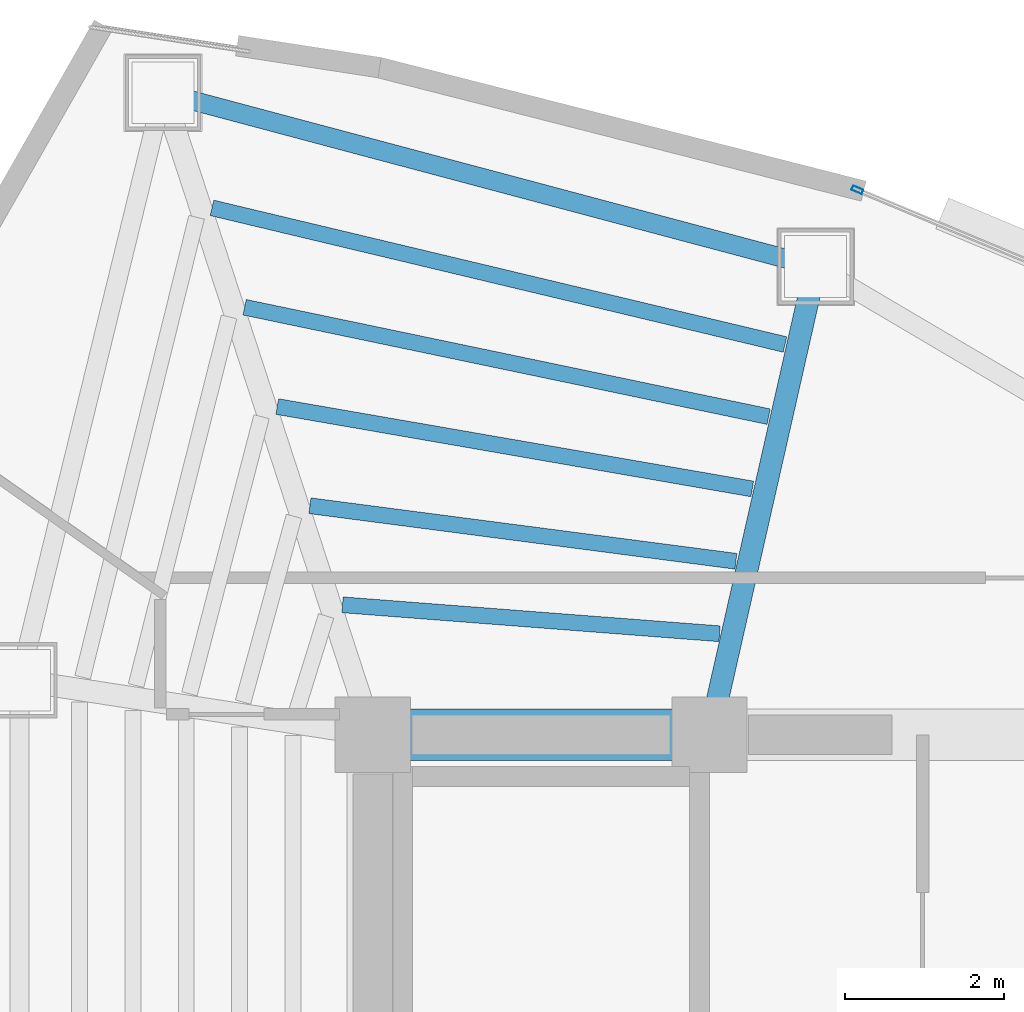
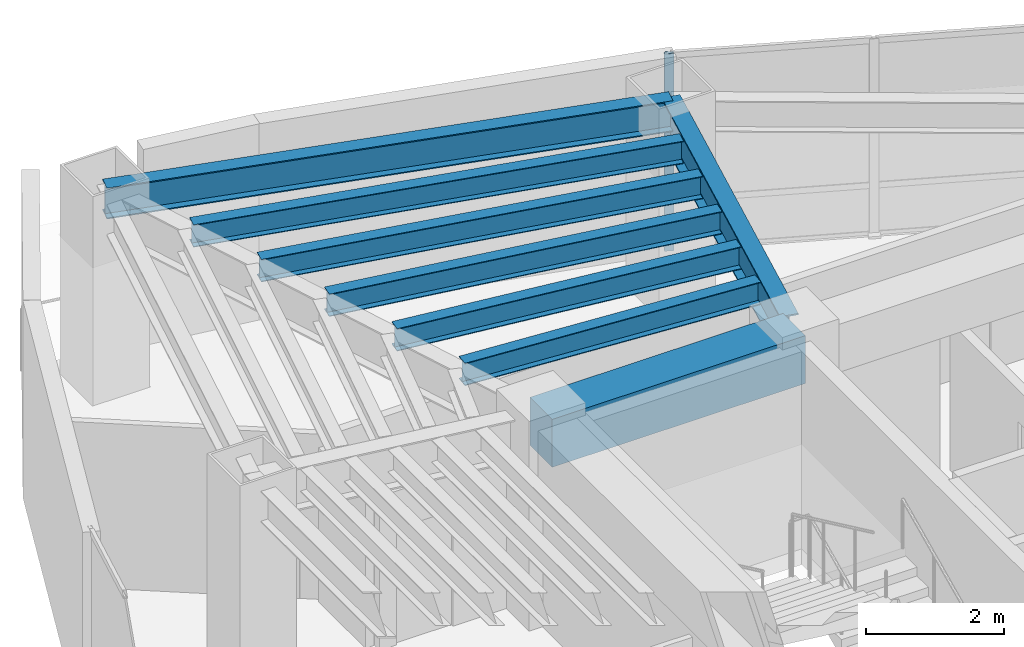
# One storey, part 7 of 15: 8 beams, 1 member, 1 element without a shape of its own.
"""IFC4 building model written with IfcOpenShell, lengths in metres."""

import ifcopenshell
import ifcopenshell.guid

model = None  # the IFC model being written
_history = None  # IfcOwnerHistory: only IFC2X3 demands one
_inside = {}  # id of a spatial element -> (the spatial element, [elements in it])
_under = {}  # id of a project, library or spatial element -> (it, [spatial elements below it])
_declared = {}  # id of a project -> (the project, [libraries it declares])
_typed = {}  # id of a type object -> (the type object, [elements of that type])
_made_of = {}  # id of a material, layer set ... -> (it, [elements and type objects made of it])


def new_model(schema):
    """Start an empty IFC model of exactly this schema.

    Asked for "IFC4X3", IfcOpenShell would pick the latest addendum, in which some entities
    have other attributes; the version numbers below select the first issue.
    IFC2X3 requires an IfcOwnerHistory on every rooted entity: one is made here for all.
    """
    global model, _history
    if schema == "IFC4X3":
        model = ifcopenshell.file(schema_version=(4, 3, 0, 0))
    else:
        model = ifcopenshell.file(schema=schema)
    _inside.clear()
    _under.clear()
    _declared.clear()
    _typed.clear()
    _made_of.clear()
    _history = None
    if model.schema == "IFC2X3":
        org = make("IfcOrganization", Name="unknown")
        user = make(
            "IfcPersonAndOrganization",
            ThePerson=make("IfcPerson", FamilyName="unknown"),
            TheOrganization=org,
        )
        app = make(
            "IfcApplication",
            ApplicationDeveloper=org,
            Version="unknown",
            ApplicationFullName="unknown",
            ApplicationIdentifier="unknown",
        )
        _history = make(
            "IfcOwnerHistory",
            OwningUser=user,
            OwningApplication=app,
            ChangeAction="ADDED",
            CreationDate=0,
        )
    return model


def make(cls, **values):
    """One entity of the class cls with the attributes given. An attribute that is None is left unset."""
    return model.create_entity(
        cls, **{name: value for name, value in values.items() if value is not None}
    )


def rooted(cls, **values):
    """An entity with a GlobalId (a new one), such as an element, a storey or a relation."""
    return make(cls, GlobalId=ifcopenshell.guid.new(), OwnerHistory=_history, **values)


def si_unit(unit_type, name, prefix=None):
    """IfcSIUnit, for example si_unit("LENGTHUNIT", "METRE", prefix="MILLI")."""
    return make("IfcSIUnit", UnitType=unit_type, Prefix=prefix, Name=name)


def assignment(units):
    """IfcUnitAssignment: the units of a project."""
    return None if units is None else make("IfcUnitAssignment", Units=units)


def point(xyz):
    """IfcCartesianPoint."""
    return None if xyz is None else make("IfcCartesianPoint", Coordinates=xyz)


def direction(xyz):
    """IfcDirection."""
    return None if xyz is None else make("IfcDirection", DirectionRatios=xyz)


def frame(location, z_axis=None, x_axis=None):
    """IfcAxis2Placement3D, a coordinate frame: its origin and axes. An axis left out is left unset."""
    return make(
        "IfcAxis2Placement3D",
        Location=point(location),
        Axis=direction(z_axis),
        RefDirection=direction(x_axis),
    )


def frame_2d(location, x_axis=None):
    """IfcAxis2Placement2D, a coordinate frame in the plane: its origin and x axis."""
    return make(
        "IfcAxis2Placement2D", Location=point(location), RefDirection=direction(x_axis)
    )


def origin():
    """The frame at (0, 0, 0) with its axes left unset."""
    return frame((0.0, 0.0, 0.0))


def origin_2d():
    """The frame at (0, 0) in the plane with its x axis left unset."""
    return frame_2d((0.0, 0.0))


def place(relative_to, where):
    """IfcLocalPlacement: puts the frame where relative to a parent placement (None: the world)."""
    return make(
        "IfcLocalPlacement", PlacementRelTo=relative_to, RelativePlacement=where
    )


def context(
    kind, dimensions, precision=None, world=None, true_north=None, identifier=None
):
    """IfcGeometricRepresentationContext, for example the 3D "Model" context."""
    return make(
        "IfcGeometricRepresentationContext",
        ContextIdentifier=identifier,
        ContextType=kind,
        CoordinateSpaceDimension=dimensions,
        Precision=precision,
        WorldCoordinateSystem=world,
        TrueNorth=true_north,
    )


def subcontext(parent, identifier, kind, view, scale=None):
    """IfcGeometricRepresentationSubContext, for example "Body" below "Model"."""
    return make(
        "IfcGeometricRepresentationSubContext",
        ContextIdentifier=identifier,
        ContextType=kind,
        ParentContext=parent,
        TargetScale=scale,
        TargetView=view,
    )


def project(units=None, contexts=None):
    """IfcProject with its units and contexts."""
    return rooted(
        "IfcProject",
        Name="project",
        RepresentationContexts=contexts,
        UnitsInContext=assignment(units),
    )


def spatial(cls, under=None, at=None, **own):
    """A site, building, storey or space (cls), placed at a placement, below another one or the project."""
    s = rooted(cls, ObjectPlacement=at, **own)
    if under is not None:
        _under.setdefault(under.id(), (under, []))[1].append(s)
    return s


def profile(cls, at=None, kind="AREA", **sizes):
    """A parametric profile (cls). Its sizes go by their IFC names, for example OverallWidth=200.0."""
    return make(cls, ProfileType=kind, Position=at, **sizes)


def rectangle(**sizes):
    """IfcRectangleProfileDef."""
    return profile("IfcRectangleProfileDef", **sizes)


def hollow_rectangle(**sizes):
    """IfcRectangleHollowProfileDef."""
    return profile("IfcRectangleHollowProfileDef", **sizes)


def i_section(**sizes):
    """IfcIShapeProfileDef."""
    return profile("IfcIShapeProfileDef", **sizes)


def extrude(swept, where, along, depth):
    """IfcExtrudedAreaSolid: the profile swept, set in the frame where, extruded along a direction by depth."""
    return make(
        "IfcExtrudedAreaSolid",
        SweptArea=swept,
        Position=where,
        ExtrudedDirection=direction(along),
        Depth=depth,
    )


def shape(context_of_items, identifier, shape_type, items):
    """IfcShapeRepresentation: the items that make up one representation, for example the "Body"."""
    return make(
        "IfcShapeRepresentation",
        ContextOfItems=context_of_items,
        RepresentationIdentifier=identifier,
        RepresentationType=shape_type,
        Items=items,
    )


def material(Name=None, Category=None):
    """IfcMaterial."""
    return make("IfcMaterial", Name=Name, Category=Category)


def layer(
    of_material, thickness, ventilated=None, Name=None, Category=None, Priority=None
):
    """IfcMaterialLayer: one layer of a wall or slab, of a material (None: an air gap)."""
    return make(
        "IfcMaterialLayer",
        Material=of_material,
        LayerThickness=thickness,
        IsVentilated=ventilated,
        Name=Name,
        Category=Category,
        Priority=Priority,
    )


def layer_set(layers, Name=None):
    """IfcMaterialLayerSet."""
    return make("IfcMaterialLayerSet", MaterialLayers=layers, LayerSetName=Name)


def material_profile(
    of_material, cross_section, Name=None, Category=None, Priority=None
):
    """IfcMaterialProfile: a cross section and its material."""
    return make(
        "IfcMaterialProfile",
        Name=Name,
        Material=of_material,
        Profile=cross_section,
        Priority=Priority,
        Category=Category,
    )


def profile_set(profiles, Name=None, composite=None):
    """IfcMaterialProfileSet."""
    return make(
        "IfcMaterialProfileSet",
        Name=Name,
        MaterialProfiles=profiles,
        CompositeProfile=composite,
    )


def made_of(thing, what):
    """Note that an element or type object is made of a material, layer set ...; save() writes the relation."""
    if what is not None:
        _made_of.setdefault(what.id(), (what, []))[1].append(thing)
    return thing


def type_object(cls, material=None, **own):
    """A type object (cls), such as IfcWallType, which elements share."""
    return made_of(rooted(cls, **own), material)


def element(
    cls,
    number,
    at=None,
    inside=None,
    cuts=None,
    type_object=None,
    material=None,
    context=None,
    identifier="Body",
    shape_type=None,
    held_by="IfcProductDefinitionShape",
    body=None,
    shapes=None,
    **own,
):
    """One element of the class cls, such as IfcWall. Its Tag is "e" and its number.

    at: its placement. inside: the storey or other place that contains it. cuts: it is an
    opening in that element (IfcRelVoidsElement). A single representation is given by context,
    identifier, shape_type and body (its items); several are given by shapes. held_by: the class
    of the entity that holds the representations. save() writes the other relations.
    """
    e = rooted(cls, Tag="e%d" % number, ObjectPlacement=at, **own)
    if body is not None:
        shapes = [shape(context, identifier, shape_type, body)]
    if shapes is not None:
        e.Representation = make(held_by, Representations=shapes)
    if inside is not None:
        _inside.setdefault(inside.id(), (inside, []))[1].append(e)
    if cuts is not None:
        rooted(
            "IfcRelVoidsElement", RelatingBuildingElement=cuts, RelatedOpeningElement=e
        )
    if type_object is not None:
        _typed.setdefault(type_object.id(), (type_object, []))[1].append(e)
    return made_of(e, material)


def aggregate(whole, parts):
    """IfcRelAggregates: a whole, such as a stair, and the parts it consists of."""
    return rooted("IfcRelAggregates", RelatingObject=whole, RelatedObjects=parts)


def save(model, path):
    """Write the relations noted so far, then the file.

    IfcRelAggregates (storeys below a building ...), IfcRelContainedInSpatialStructure (elements
    in a storey), IfcRelDefinesByType, IfcRelAssociatesMaterial and IfcRelDeclares: one each for
    every whole, place, type object, material and project.
    """
    for whole, parts in _under.values():
        aggregate(whole, parts)
    for where, things in _inside.values():
        rooted(
            "IfcRelContainedInSpatialStructure",
            RelatedElements=things,
            RelatingStructure=where,
        )
    for kind, things in _typed.values():
        rooted("IfcRelDefinesByType", RelatedObjects=things, RelatingType=kind)
    for what, things in _made_of.values():
        rooted("IfcRelAssociatesMaterial", RelatedObjects=things, RelatingMaterial=what)
    for by, libraries in _declared.values():
        rooted("IfcRelDeclares", RelatingContext=by, RelatedDefinitions=libraries)
    model.write(path)


model = new_model("IFC4")

# Units and contexts
model_context = context("Model", 3, precision=1e-05, world=origin(), true_north=direction((0.0, 1.0)))
body_context = subcontext(model_context, "Body", "Model", "MODEL_VIEW")
ifc_project = project(units=[si_unit("LENGTHUNIT", "METRE"), si_unit("AREAUNIT", "SQUARE_METRE"), si_unit("VOLUMEUNIT", "CUBIC_METRE"), si_unit("PLANEANGLEUNIT", "RADIAN"), si_unit("MASSUNIT", "GRAM", prefix="KILO")], contexts=[model_context])

# Site, building, storey
site_placement = place(None, origin())
site = spatial("IfcSite", under=ifc_project, at=site_placement, CompositionType="ELEMENT")
building_placement = place(site_placement, origin())
building = spatial("IfcBuilding", under=site, at=building_placement, Name="Menara Vayukalpa", CompositionType="ELEMENT")
storey_placement = place(building_placement, frame((0.0, 0.0, 172.919921875)))
storey = spatial("IfcBuildingStorey", under=building, at=storey_placement, Name="L43", CompositionType="ELEMENT", Elevation=172.919921875)

# Beams
ifc_material_1 = material(Name="Concrete C60/75", Category="concrete")
ifc_material_profile_1 = material_profile(ifc_material_1, rectangle(XDim=0.64990234375, YDim=0.85009765625, at=origin_2d()), Name="RC 650x850")
ifc_profile_set_1 = profile_set([ifc_material_profile_1], Name="Concrete C60/75")
beam_type_1 = type_object("IfcBeamType", Name="BM-CB1", PredefinedType="BEAM", material=ifc_profile_set_1)
beam_1_placement = place(storey_placement, frame((17.800048828125, 26.800048828125, 3.0751953125), z_axis=(1.0, 0.0, 0.0), x_axis=(0.0, 1.0, 0.0)))
element("IfcBeam", 1, at=beam_1_placement, inside=storey, type_object=beam_type_1, Name="L43 Core Tie Beam CBR4", PredefinedType="BEAM", context=body_context, shape_type="SweptSolid", body=[
    extrude(rectangle(XDim=0.64990234375, YDim=0.85009765625, at=origin_2d()), origin(), (0.0, 0.0, 1.0), 4.25),
])
ifc_material_2 = material(Name="Steel S355", Category="steel")
ifc_material_profile_2 = material_profile(ifc_material_2, i_section(OverallWidth=0.280029296875, OverallDepth=0.75, WebThickness=0.013916015625, FlangeThickness=0.02490234375, at=origin_2d()), Name="WF 750x280x14x25")
ifc_profile_set_2 = profile_set([ifc_material_profile_2], Name="Steel S355")
beam_type_2 = type_object("IfcBeamType", Name="BM-PG4", PredefinedType="BEAM", material=ifc_profile_set_2)
beam_2_placement = place(storey_placement, frame((22.105224609375, 27.043701171875, 3.125), z_axis=(0.221085149161, 0.975254508741, 0.0), x_axis=(-0.975254508741, 0.221085149161, 0.0)))
element("IfcBeam", 2, at=beam_2_placement, inside=storey, type_object=beam_type_2, Name="L43 Primary Radial Girder RG03", PredefinedType="BEAM", context=body_context, shape_type="SweptSolid", body=[
    extrude(i_section(OverallWidth=0.280029296875, OverallDepth=0.75, WebThickness=0.013916015625, FlangeThickness=0.02490234375, at=origin_2d()), origin(), (0.0, 0.0, 1.0), 5.80859375),
])
ifc_material_3 = material(Name="Steel S355", Category="steel")
ifc_material_profile_3 = material_profile(ifc_material_3, i_section(OverallWidth=0.199951171875, OverallDepth=0.39990234375, WebThickness=0.008056640625, FlangeThickness=0.012939453125, at=origin_2d()), Name="WF 400x200x8x13")
ifc_profile_set_3 = profile_set([ifc_material_profile_3], Name="Steel S355")
beam_type_3 = type_object("IfcBeamType", Name="BM-SJ2", PredefinedType="JOIST", material=ifc_profile_set_3)
beam_3_placement = place(storey_placement, frame((22.177001953125, 28.07568359375, 3.300048828125), z_axis=(-0.997061705182, 0.076602585202, 0.0), x_axis=(-0.076602585202, -0.997061705182, 0.0)))
element("IfcBeam", 3, at=beam_3_placement, inside=storey, type_object=beam_type_3, Name="L43 Secondary Floor Joist SJ03-1", PredefinedType="JOIST", context=body_context, shape_type="SweptSolid", body=[
    extrude(i_section(OverallWidth=0.199951171875, OverallDepth=0.39990234375, WebThickness=0.008056640625, FlangeThickness=0.012939453125, at=origin_2d()), origin(), (0.0, 0.0, 1.0), 4.77099609375),
])
beam_4_placement = place(storey_placement, frame((22.38330078125, 28.990478515625, 3.300048828125), z_axis=(-0.99161070493, 0.129260240866, 0.0), x_axis=(-0.129260240866, -0.99161070493, 0.0)))
element("IfcBeam", 4, at=beam_4_placement, inside=storey, type_object=beam_type_3, Name="L43 Secondary Floor Joist SJ03-2", PredefinedType="JOIST", context=body_context, shape_type="SweptSolid", body=[
    extrude(i_section(OverallWidth=0.199951171875, OverallDepth=0.39990234375, WebThickness=0.008056640625, FlangeThickness=0.012939453125, at=origin_2d()), origin(), (0.0, 0.0, 1.0), 5.420654296875),
])
beam_5_placement = place(storey_placement, frame((22.589599609375, 29.9033203125, 3.300048828125), z_axis=(-0.985288833054, 0.170897382832, 0.0), x_axis=(-0.170897382832, -0.985288833054, 0.0)))
element("IfcBeam", 5, at=beam_5_placement, inside=storey, type_object=beam_type_3, Name="L43 Secondary Floor Joist SJ03-3", PredefinedType="JOIST", context=body_context, shape_type="SweptSolid", body=[
    extrude(i_section(OverallWidth=0.199951171875, OverallDepth=0.39990234375, WebThickness=0.008056640625, FlangeThickness=0.012939453125, at=origin_2d()), origin(), (0.0, 0.0, 1.0), 6.0830078125),
])
beam_6_placement = place(storey_placement, frame((22.796142578125, 30.815185546875, 3.300048828125), z_axis=(-0.97888709748, 0.204401688806, 0.0), x_axis=(-0.204401688806, -0.97888709748, 0.0)))
element("IfcBeam", 6, at=beam_6_placement, inside=storey, type_object=beam_type_3, Name="L43 Secondary Floor Joist SJ03-4", PredefinedType="JOIST", context=body_context, shape_type="SweptSolid", body=[
    extrude(i_section(OverallWidth=0.199951171875, OverallDepth=0.39990234375, WebThickness=0.008056640625, FlangeThickness=0.012939453125, at=origin_2d()), origin(), (0.0, 0.0, 1.0), 6.75439453125),
])
beam_7_placement = place(storey_placement, frame((23.002685546875, 31.725830078125, 3.300048828125), z_axis=(-0.972731800574, 0.231932844055, 0.0), x_axis=(-0.231932844055, -0.972731800574, 0.0)))
element("IfcBeam", 7, at=beam_7_placement, inside=storey, type_object=beam_type_3, Name="L43 Secondary Floor Joist SJ03-5", PredefinedType="JOIST", context=body_context, shape_type="SweptSolid", body=[
    extrude(i_section(OverallWidth=0.199951171875, OverallDepth=0.39990234375, WebThickness=0.008056640625, FlangeThickness=0.012939453125, at=origin_2d()), origin(), (0.0, 0.0, 1.0), 7.4326171875),
])
ifc_material_4 = material(Name="Steel S355", Category="steel")
ifc_material_profile_4 = material_profile(ifc_material_4, i_section(OverallWidth=0.239990234375, OverallDepth=0.550048828125, WebThickness=0.010986328125, FlangeThickness=0.01904296875, at=origin_2d()), Name="WF 550x240x11x19")
ifc_profile_set_4 = profile_set([ifc_material_profile_4], Name="Steel S355")
beam_type_4 = type_object("IfcBeamType", Name="BM-SP2", PredefinedType="SPANDREL", material=ifc_profile_set_4)
beam_8_placement = place(storey_placement, frame((23.389404296875, 32.70849609375, 3.22509765625), z_axis=(-0.966287699272, 0.25746472037, 0.0), x_axis=(-0.25746472037, -0.966287699272, 0.0)))
element("IfcBeam", 8, at=beam_8_placement, inside=storey, type_object=beam_type_4, Name="L43 Perimeter Spandrel Beam SP03", PredefinedType="SPANDREL", context=body_context, shape_type="SweptSolid", body=[
    extrude(i_section(OverallWidth=0.239990234375, OverallDepth=0.550048828125, WebThickness=0.010986328125, FlangeThickness=0.01904296875, at=origin_2d()), origin(), (0.0, 0.0, 1.0), 8.52197265625),
])

# Curtain wall, member
ifc_material_5 = material(Name="Anodised Terracotta Aluminium Alloy 6063-T6", Category="masonry")
ifc_layer = layer(ifc_material_5, 0.139892578125)
ifc_layer_set = layer_set([ifc_layer], Name="Anodised Terracotta Aluminium Alloy 6063-T6")
curtain_wall_type = type_object("IfcCurtainWallType", Name="CW-CW5", PredefinedType="USERDEFINED", material=ifc_layer_set)
curtain_wall_placement = place(storey_placement, origin())
curtain_wall = element("IfcCurtainWall", 9, at=curtain_wall_placement, inside=storey, type_object=curtain_wall_type, Name="L43 High Rise Tapered Curtain Wall CW5 05", ObjectType="UNITISED", PredefinedType="USERDEFINED")
ifc_material_6 = material(Name="Anodised Terracotta Aluminium Alloy 6063-T6", Category="masonry")
ifc_material_profile_5 = material_profile(ifc_material_6, hollow_rectangle(XDim=0.06005859375, YDim=0.139892578125, WallThickness=0.00341796875, at=origin_2d()), Name="ALU 60x140x3.5")
ifc_profile_set_5 = profile_set([ifc_material_profile_5], Name="Anodised Terracotta Aluminium Alloy 6063-T6")
member_type = type_object("IfcMemberType", Name="CWM-CW5", PredefinedType="MULLION", material=ifc_profile_set_5)
member_placement = place(storey_placement, frame((23.916259765625, 33.677001953125, 0.0), z_axis=(0.0, 0.0, 1.0), x_axis=(-0.385902834406, -0.922539431351, 0.0)))
member = element("IfcMember", 10, at=member_placement, type_object=member_type, Name="CW5 mullion 3", PredefinedType="MULLION", context=body_context, shape_type="SweptSolid", body=[
    extrude(hollow_rectangle(XDim=0.06005859375, YDim=0.139892578125, WallThickness=0.00341796875, at=origin_2d()), origin(), (0.0, 0.0, 1.0), 3.5),
])
aggregate(curtain_wall, [member])

save(model, "model.ifc")
